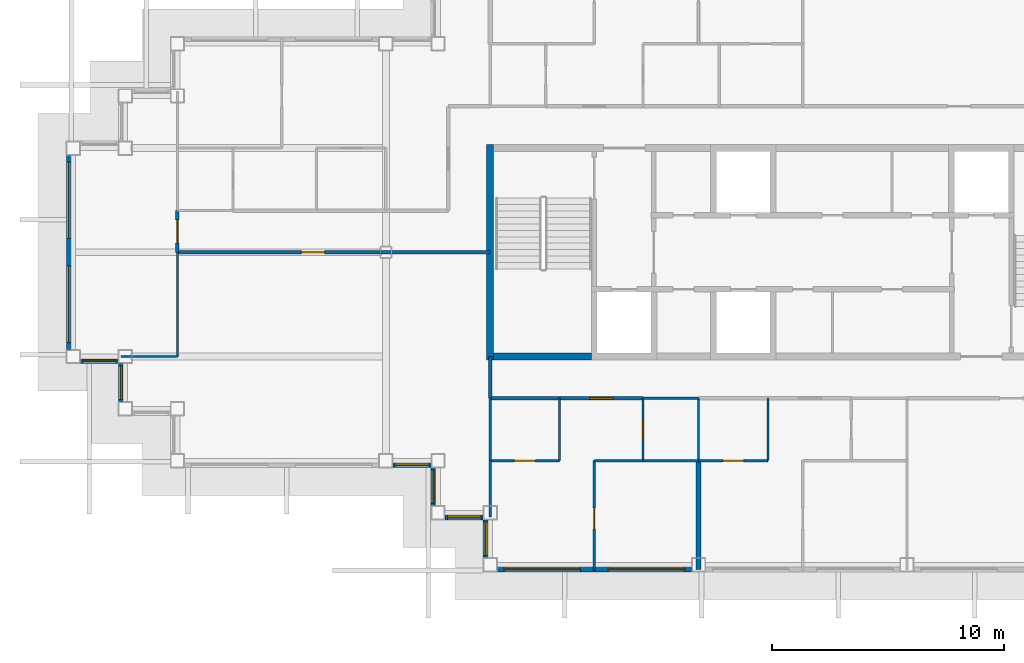
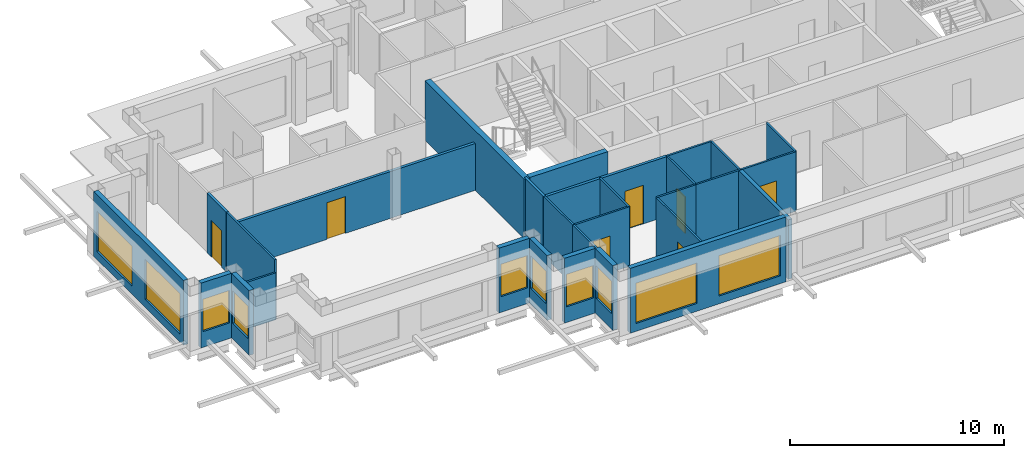
# One storey, part 2 of 11: 29 walls, 10 windows, 7 doors, 17 openings.
"""IFC4 building model written with IfcOpenShell, lengths in metres."""

from ifc_helpers import new_model, si_unit, direction, frame, frame_2d, origin, place, context, subcontext, project, spatial, rectangle, extrude, material, layer, layer_set, type_object, element, fill, save


model = new_model("IFC4")

# Units and contexts
model_context = context("Model", 3, precision=1e-05, world=origin(), true_north=direction((0.0, 1.0)))
body_context = subcontext(model_context, "Body", "Model", "MODEL_VIEW")
ifc_project = project(units=[si_unit("LENGTHUNIT", "METRE"), si_unit("AREAUNIT", "SQUARE_METRE"), si_unit("VOLUMEUNIT", "CUBIC_METRE"), si_unit("PLANEANGLEUNIT", "RADIAN"), si_unit("MASSUNIT", "GRAM", prefix="KILO")], contexts=[model_context])

# Site, building, storey
site_placement = place(None, origin())
site = spatial("IfcSite", under=ifc_project, at=site_placement, CompositionType="ELEMENT")
building_placement = place(site_placement, origin())
building = spatial("IfcBuilding", under=site, at=building_placement, Name="Caravel Reach Hotel and Residences", CompositionType="ELEMENT")
storey_placement = place(building_placement, frame((0.0, 0.0, 249.0)))
storey = spatial("IfcBuildingStorey", under=building, at=storey_placement, Name="L63", CompositionType="ELEMENT", Elevation=249.0)

# Walls
ifc_material_1 = material(Name="Gypsum board on steel stud", Category="steel")
ifc_layer_1 = layer(ifc_material_1, 0.10009765625)
ifc_layer_set_1 = layer_set([ifc_layer_1], Name="Bathroom pod wall 100 mm")
wall_type_1 = type_object("IfcWallType", Name="Bathroom pod wall 100 mm", PredefinedType="PARTITIONING", material=ifc_layer_set_1)
for number, where, z_axis, x_axis, name in (
    (1, (24.60009765625, 18.0, 0.0), (0.0, 0.0, 1.0), (1.0, 0.0, 0.0), "L63 wall w053"),
    (2, (24.60009765625, 20.699951171875, 0.0), (0.0, 0.0, 1.0), (1.0, 0.0, 0.0), "L63 wall w055"),
):
    element("IfcWall", number, at=place(storey_placement, frame(where, z_axis=z_axis, x_axis=x_axis)), inside=storey, type_object=wall_type_1, Name=name, PredefinedType="PARTITIONING", context=body_context, shape_type="SweptSolid", body=[
        extrude(rectangle(XDim=2.39990234375, YDim=0.10009765625, at=frame_2d((1.199951171875, 0.0))), origin(), (0.0, 0.0, 1.0), 3.39990234375),
    ])

# Wall, opening, door
wall_1_placement = place(storey_placement, frame((24.60009765625, 18.0, 0.0), z_axis=(0.0, 0.0, 1.0), x_axis=(0.0, 1.0, 0.0)))
wall_1 = element("IfcWall", 3, at=wall_1_placement, inside=storey, type_object=wall_type_1, Name="L63 wall w063", PredefinedType="PARTITIONING", context=body_context, shape_type="SweptSolid", body=[
    extrude(rectangle(XDim=2.699951171875, YDim=0.10009765625, at=frame_2d((1.35009765625, 0.0))), origin(), (0.0, 0.0, 1.0), 3.39990234375),
])
opening_1_placement = place(wall_1_placement, frame((0.949951171875, 0.0, 0.0)))
opening_1 = element("IfcOpeningElement", 4, at=opening_1_placement, cuts=wall_1, Name="Opening D63-031", PredefinedType="OPENING", context=body_context, shape_type="SweptSolid", body=[
    extrude(rectangle(XDim=0.800048828125, YDim=2.10009765625, at=frame_2d((0.39990234375, 1.050048828125))), frame((0.0, 0.06005859375, 0.0), z_axis=(0.0, -1.0, 0.0), x_axis=(1.0, 0.0, 0.0)), (0.0, 0.0, 1.0), 0.1201171875),
])
ifc_material_2 = material(Name="Timber and steel door leaf", Category="steel")
door_type_1 = type_object("IfcDoorType", Name="Bathroom door 800 x 2100", OperationType="SINGLE_SWING_LEFT", PredefinedType="DOOR", material=ifc_material_2)
door_1_placement = place(opening_1_placement, origin())
door_1 = element("IfcDoor", 5, at=door_1_placement, inside=storey, type_object=door_type_1, Name="door D63-031", OperationType="SINGLE_SWING_RIGHT", OverallHeight=2.10009765625, OverallWidth=0.800048828125, PredefinedType="DOOR", context=body_context, shape_type="SweptSolid", body=[
    extrude(rectangle(XDim=0.800048828125, YDim=2.10009765625, at=frame_2d((0.39990234375, 1.050048828125))), frame((0.0, 0.02490234375, 0.0), z_axis=(0.0, -1.0, 0.0), x_axis=(1.0, 0.0, 0.0)), (0.0, 0.0, 1.0), 0.050048828125),
])
fill(opening_1, door_1)

# Walls
wall_2_placement = place(storey_placement, frame((27.0, 18.0, 0.0), z_axis=(0.0, 0.0, 1.0), x_axis=(0.0, 1.0, 0.0)))
element("IfcWall", 6, at=wall_2_placement, inside=storey, type_object=wall_type_1, Name="L63 wall w064", PredefinedType="PARTITIONING", context=body_context, shape_type="SweptSolid", body=[
    extrude(rectangle(XDim=2.699951171875, YDim=0.10009765625, at=frame_2d((1.35009765625, 0.0))), origin(), (0.0, 0.0, 1.0), 3.39990234375),
])
ifc_material_3 = material(Name="Concrete C60", Category="concrete")
ifc_layer_2 = layer(ifc_material_3, 0.300048828125)
ifc_layer_set_2 = layer_set([ifc_layer_2], Name="Core wall 300 mm EI 120")
wall_type_2 = type_object("IfcWallType", Name="Core wall 300 mm EI 120", PredefinedType="SHEAR", material=ifc_layer_set_2)
wall_3_placement = place(storey_placement, frame((18.14990234375, 22.5, 0.0), z_axis=(0.0, 0.0, 1.0), x_axis=(1.0, 0.0, 0.0)))
element("IfcWall", 7, at=wall_3_placement, inside=storey, type_object=wall_type_2, Name="L63 core wall S1", PredefinedType="SHEAR", context=body_context, shape_type="SweptSolid", body=[
    extrude(rectangle(XDim=4.22509765625, YDim=0.300048828125, at=frame_2d((2.112548828125, 0.0))), origin(), (0.0, 0.0, 1.0), 3.39990234375),
])
wall_4_placement = place(storey_placement, frame((18.0, 22.35009765625, 0.0), z_axis=(0.0, 0.0, 1.0), x_axis=(0.0, 1.0, 0.0)))
element("IfcWall", 8, at=wall_4_placement, inside=storey, type_object=wall_type_2, Name="L63 core wall W", PredefinedType="SHEAR", context=body_context, shape_type="SweptSolid", body=[
    extrude(rectangle(XDim=9.2998046875, YDim=0.300048828125, at=frame_2d((4.64990234375, 0.0))), origin(), (0.0, 0.0, 1.0), 3.39990234375),
])

# Wall, opening, door
ifc_material_4 = material(Name="Gypsum board on steel stud, fire-rated", Category="steel")
ifc_layer_3 = layer(ifc_material_4, 0.14990234375)
ifc_layer_set_3 = layer_set([ifc_layer_3], Name="Corridor wall 150 mm EI 60")
wall_type_3 = type_object("IfcWallType", Name="Corridor wall 150 mm EI 60", PredefinedType="PARTITIONING", material=ifc_layer_set_3)
wall_5_placement = place(storey_placement, frame((18.0, 20.699951171875, 0.0), z_axis=(0.0, 0.0, 1.0), x_axis=(1.0, 0.0, 0.0)))
wall_5 = element("IfcWall", 9, at=wall_5_placement, inside=storey, type_object=wall_type_3, Name="L63 wall w002", PredefinedType="PARTITIONING", context=body_context, shape_type="SweptSolid", body=[
    extrude(rectangle(XDim=6.60009765625, YDim=0.14990234375, at=frame_2d((3.300048828125, 0.0))), origin(), (0.0, 0.0, 1.0), 3.39990234375),
])
opening_2_placement = place(wall_5_placement, frame((4.300048828125, 0.0, 0.0)))
opening_2 = element("IfcOpeningElement", 10, at=opening_2_placement, cuts=wall_5, Name="Opening D63-029", PredefinedType="OPENING", context=body_context, shape_type="SweptSolid", body=[
    extrude(rectangle(XDim=1.0, YDim=2.199951171875, at=frame_2d((0.5, 1.10009765625))), frame((0.0, 0.0849609375, 0.0), z_axis=(0.0, -1.0, 0.0), x_axis=(1.0, 0.0, 0.0)), (0.0, 0.0, 1.0), 0.169921875),
])
ifc_material_5 = material(Name="Steel fire door leaf", Category="steel")
door_type_2 = type_object("IfcDoorType", Name="Flat entrance door 1000 x 2200 EI 60", OperationType="SINGLE_SWING_LEFT", PredefinedType="DOOR", material=ifc_material_5)
door_2_placement = place(opening_2_placement, origin())
door_2 = element("IfcDoor", 11, at=door_2_placement, inside=storey, type_object=door_type_2, Name="door D63-029", OperationType="SINGLE_SWING_LEFT", OverallHeight=2.199951171875, OverallWidth=1.0, PredefinedType="DOOR", context=body_context, shape_type="SweptSolid", body=[
    extrude(rectangle(XDim=1.0, YDim=2.199951171875, at=frame_2d((0.5, 1.10009765625))), frame((0.0, 0.02490234375, 0.0), z_axis=(0.0, -1.0, 0.0), x_axis=(1.0, 0.0, 0.0)), (0.0, 0.0, 1.0), 0.050048828125),
])
fill(opening_2, door_2)

wall_6_placement = place(storey_placement, frame((4.5, 27.0, 0.0), z_axis=(0.0, 0.0, 1.0), x_axis=(1.0, 0.0, 0.0)))
wall_6 = element("IfcWall", 12, at=wall_6_placement, inside=storey, type_object=wall_type_3, Name="L63 wall w008", PredefinedType="PARTITIONING", context=body_context, shape_type="SweptSolid", body=[
    extrude(rectangle(XDim=13.5, YDim=0.14990234375, at=frame_2d((6.75, 0.0))), origin(), (0.0, 0.0, 1.0), 2.679931640625),
])
opening_3_placement = place(wall_6_placement, frame((5.35009765625, 0.0, 0.0)))
opening_3 = element("IfcOpeningElement", 13, at=opening_3_placement, cuts=wall_6, Name="Opening D63-028", PredefinedType="OPENING", context=body_context, shape_type="SweptSolid", body=[
    extrude(rectangle(XDim=1.0, YDim=2.10009765625, at=frame_2d((0.5, 1.050048828125))), frame((0.0, 0.0849609375, 0.0), z_axis=(0.0, -1.0, 0.0), x_axis=(1.0, 0.0, 0.0)), (0.0, 0.0, 1.0), 0.169921875),
])
ifc_material_6 = material(Name="Steel fire door leaf", Category="steel")
door_type_3 = type_object("IfcDoorType", Name="Fire door 1000 x 2100 EI 60", OperationType="SINGLE_SWING_LEFT", PredefinedType="DOOR", material=ifc_material_6)
door_3_placement = place(opening_3_placement, origin())
door_3 = element("IfcDoor", 14, at=door_3_placement, inside=storey, type_object=door_type_3, Name="door D63-028", OperationType="SINGLE_SWING_LEFT", OverallHeight=2.10009765625, OverallWidth=1.0, PredefinedType="DOOR", context=body_context, shape_type="SweptSolid", body=[
    extrude(rectangle(XDim=1.0, YDim=2.10009765625, at=frame_2d((0.5, 1.050048828125))), frame((0.0, 0.02490234375, 0.0), z_axis=(0.0, -1.0, 0.0), x_axis=(1.0, 0.0, 0.0)), (0.0, 0.0, 1.0), 0.050048828125),
])
fill(opening_3, door_3)

# Wall
wall_7_placement = place(storey_placement, frame((18.0, 20.699951171875, 0.0), z_axis=(0.0, 0.0, 1.0), x_axis=(0.0, 1.0, 0.0)))
element("IfcWall", 15, at=wall_7_placement, inside=storey, type_object=wall_type_3, Name="L63 wall w018", PredefinedType="PARTITIONING", context=body_context, shape_type="SweptSolid", body=[
    extrude(rectangle(XDim=1.800048828125, YDim=0.14990234375, at=frame_2d((0.89990234375, 0.0))), origin(), (0.0, 0.0, 1.0), 3.39990234375),
])

# Wall, opening, door
wall_8_placement = place(storey_placement, frame((4.5, 27.0, 0.0), z_axis=(0.0, 0.0, 1.0), x_axis=(0.0, 1.0, 0.0)))
wall_8 = element("IfcWall", 16, at=wall_8_placement, inside=storey, type_object=wall_type_3, Name="L63 wall w019", PredefinedType="PARTITIONING", context=body_context, shape_type="SweptSolid", body=[
    extrude(rectangle(XDim=1.800048828125, YDim=0.14990234375, at=frame_2d((0.89990234375, 0.0))), origin(), (0.0, 0.0, 1.0), 3.39990234375),
])
opening_4_placement = place(wall_8_placement, frame((0.39990234375, 0.0, 0.0)))
opening_4 = element("IfcOpeningElement", 17, at=opening_4_placement, cuts=wall_8, Name="Opening D63-038", PredefinedType="OPENING", context=body_context, shape_type="SweptSolid", body=[
    extrude(rectangle(XDim=1.0, YDim=2.10009765625, at=frame_2d((0.5, 1.050048828125))), frame((0.0, 0.0849609375, 0.0), z_axis=(0.0, -1.0, 0.0), x_axis=(1.0, 0.0, 0.0)), (0.0, 0.0, 1.0), 0.169921875),
])
door_4_placement = place(opening_4_placement, origin())
door_4 = element("IfcDoor", 18, at=door_4_placement, inside=storey, type_object=door_type_3, Name="door D63-038", OperationType="SINGLE_SWING_LEFT", OverallHeight=2.10009765625, OverallWidth=1.0, PredefinedType="DOOR", context=body_context, shape_type="SweptSolid", body=[
    extrude(rectangle(XDim=1.0, YDim=2.10009765625, at=frame_2d((0.5, 1.050048828125))), frame((0.0, 0.02490234375, 0.0), z_axis=(0.0, -1.0, 0.0), x_axis=(1.0, 0.0, 0.0)), (0.0, 0.0, 1.0), 0.050048828125),
])
fill(opening_4, door_4)

# Wall, opening, window
ifc_material_7 = material(Name="Insulated rainscreen wall, aluminium cladding", Category="aluminium")
ifc_layer_4 = layer(ifc_material_7, 0.25)
ifc_layer_set_4 = layer_set([ifc_layer_4], Name="EW1 Tower rainscreen wall")
wall_type_4 = type_object("IfcWallType", Name="EW1 Tower rainscreen wall", PredefinedType="SOLIDWALL", material=ifc_layer_set_4)
wall_9_placement = place(storey_placement, frame((15.574951171875, 17.699951171875, 0.0), z_axis=(0.0, 0.0, 1.0), x_axis=(0.0, -1.0, 0.0)))
wall_9 = element("IfcWall", 19, at=wall_9_placement, inside=storey, type_object=wall_type_4, Name="External wall L63 W1.1", PredefinedType="SOLIDWALL", context=body_context, shape_type="SweptSolid", body=[
    extrude(rectangle(XDim=1.64990234375, YDim=0.25, at=frame_2d((0.824951171875, 0.0))), origin(), (0.0, 0.0, 1.0), 3.699951171875),
])
opening_5_placement = place(wall_9_placement, frame((0.10009765625, 0.0, 0.89990234375)))
opening_5 = element("IfcOpeningElement", 20, at=opening_5_placement, cuts=wall_9, Name="Opening WN25", PredefinedType="OPENING", context=body_context, shape_type="SweptSolid", body=[
    extrude(rectangle(XDim=1.449951171875, YDim=1.85009765625, at=frame_2d((0.72509765625, 0.925048828125))), frame((0.0, 0.135009765625, 0.0), z_axis=(0.0, -1.0, 0.0), x_axis=(1.0, 0.0, 0.0)), (0.0, 0.0, 1.0), 0.27001953125),
])
ifc_material_8 = material(Name="Dark low-e glazing in black aluminium frame", Category="aluminium")
window_type_1 = type_object("IfcWindowType", Name="Residence bedroom window 1450 x 1850", PartitioningType="SINGLE_PANEL", PredefinedType="WINDOW", material=ifc_material_8)
window_1_placement = place(opening_5_placement, origin())
window_1 = element("IfcWindow", 21, at=window_1_placement, inside=storey, type_object=window_type_1, Name="Window L63 W1.1.1", OverallHeight=1.85009765625, OverallWidth=1.449951171875, PartitioningType="SINGLE_PANEL", PredefinedType="WINDOW", context=body_context, shape_type="SweptSolid", body=[
    extrude(rectangle(XDim=1.449951171875, YDim=1.85009765625, at=frame_2d((0.72509765625, 0.925048828125))), frame((0.0, 0.030029296875, 0.0), z_axis=(0.0, -1.0, 0.0), x_axis=(1.0, 0.0, 0.0)), (0.0, 0.0, 1.0), 0.06005859375),
])
fill(opening_5, window_1)

wall_10_placement = place(storey_placement, frame((16.050048828125, 15.574951171875, 0.0), z_axis=(0.0, 0.0, 1.0), x_axis=(1.0, 0.0, 0.0)))
wall_10 = element("IfcWall", 22, at=wall_10_placement, inside=storey, type_object=wall_type_4, Name="External wall L63 S2.1", PredefinedType="SOLIDWALL", context=body_context, shape_type="SweptSolid", body=[
    extrude(rectangle(XDim=1.64990234375, YDim=0.25, at=frame_2d((0.824951171875, 0.0))), origin(), (0.0, 0.0, 1.0), 3.699951171875),
])
opening_6_placement = place(wall_10_placement, frame((0.10009765625, 0.0, 0.89990234375)))
opening_6 = element("IfcOpeningElement", 23, at=opening_6_placement, cuts=wall_10, Name="Opening WN25", PredefinedType="OPENING", context=body_context, shape_type="SweptSolid", body=[
    extrude(rectangle(XDim=1.449951171875, YDim=1.85009765625, at=frame_2d((0.72509765625, 0.925048828125))), frame((0.0, 0.135009765625, 0.0), z_axis=(0.0, -1.0, 0.0), x_axis=(1.0, 0.0, 0.0)), (0.0, 0.0, 1.0), 0.27001953125),
])
window_2_placement = place(opening_6_placement, origin())
window_2 = element("IfcWindow", 24, at=window_2_placement, inside=storey, type_object=window_type_1, Name="Window L63 S2.1.1", OverallHeight=1.85009765625, OverallWidth=1.449951171875, PartitioningType="SINGLE_PANEL", PredefinedType="WINDOW", context=body_context, shape_type="SweptSolid", body=[
    extrude(rectangle(XDim=1.449951171875, YDim=1.85009765625, at=frame_2d((0.72509765625, 0.925048828125))), frame((0.0, 0.030029296875, 0.0), z_axis=(0.0, -1.0, 0.0), x_axis=(1.0, 0.0, 0.0)), (0.0, 0.0, 1.0), 0.06005859375),
])
fill(opening_6, window_2)

wall_11_placement = place(storey_placement, frame((17.824951171875, 15.449951171875, 0.0), z_axis=(0.0, 0.0, 1.0), x_axis=(0.0, -1.0, 0.0)))
wall_11 = element("IfcWall", 25, at=wall_11_placement, inside=storey, type_object=wall_type_4, Name="External wall L63 W3.1", PredefinedType="SOLIDWALL", context=body_context, shape_type="SweptSolid", body=[
    extrude(rectangle(XDim=1.64990234375, YDim=0.25, at=frame_2d((0.824951171875, 0.0))), origin(), (0.0, 0.0, 1.0), 3.699951171875),
])
opening_7_placement = place(wall_11_placement, frame((0.10009765625, 0.0, 0.89990234375)))
opening_7 = element("IfcOpeningElement", 26, at=opening_7_placement, cuts=wall_11, Name="Opening WN25", PredefinedType="OPENING", context=body_context, shape_type="SweptSolid", body=[
    extrude(rectangle(XDim=1.449951171875, YDim=1.85009765625, at=frame_2d((0.72509765625, 0.925048828125))), frame((0.0, 0.135009765625, 0.0), z_axis=(0.0, -1.0, 0.0), x_axis=(1.0, 0.0, 0.0)), (0.0, 0.0, 1.0), 0.27001953125),
])
window_3_placement = place(opening_7_placement, origin())
window_3 = element("IfcWindow", 27, at=window_3_placement, inside=storey, type_object=window_type_1, Name="Window L63 W3.1.1", OverallHeight=1.85009765625, OverallWidth=1.449951171875, PartitioningType="SINGLE_PANEL", PredefinedType="WINDOW", context=body_context, shape_type="SweptSolid", body=[
    extrude(rectangle(XDim=1.449951171875, YDim=1.85009765625, at=frame_2d((0.72509765625, 0.925048828125))), frame((0.0, 0.030029296875, 0.0), z_axis=(0.0, -1.0, 0.0), x_axis=(1.0, 0.0, 0.0)), (0.0, 0.0, 1.0), 0.06005859375),
])
fill(opening_7, window_3)

# Wall, openings, windows
wall_12_placement = place(storey_placement, frame((18.300048828125, 13.324951171875, 0.0), z_axis=(0.0, 0.0, 1.0), x_axis=(1.0, 0.0, 0.0)))
wall_12 = element("IfcWall", 28, at=wall_12_placement, inside=storey, type_object=wall_type_4, Name="External wall L63 S4.1", PredefinedType="SOLIDWALL", context=body_context, shape_type="SweptSolid", body=[
    extrude(rectangle(XDim=8.39990234375, YDim=0.25, at=frame_2d((4.199951171875, 0.0))), origin(), (0.0, 0.0, 1.0), 3.699951171875),
])
opening_8_placement = place(wall_12_placement, frame((0.300048828125, 0.0, 0.449951171875)))
opening_8 = element("IfcOpeningElement", 29, at=opening_8_placement, cuts=wall_12, Name="Opening WN15", PredefinedType="OPENING", context=body_context, shape_type="SweptSolid", body=[
    extrude(rectangle(XDim=3.300048828125, YDim=2.300048828125, at=frame_2d((1.64990234375, 1.14990234375))), frame((0.0, 0.135009765625, 0.0), z_axis=(0.0, -1.0, 0.0), x_axis=(1.0, 0.0, 0.0)), (0.0, 0.0, 1.0), 0.27001953125),
])
opening_9_placement = place(wall_12_placement, frame((4.800048828125, 0.0, 0.449951171875)))
opening_9 = element("IfcOpeningElement", 30, at=opening_9_placement, cuts=wall_12, Name="Opening WN15", PredefinedType="OPENING", context=body_context, shape_type="SweptSolid", body=[
    extrude(rectangle(XDim=3.300048828125, YDim=2.300048828125, at=frame_2d((1.64990234375, 1.14990234375))), frame((0.0, 0.135009765625, 0.0), z_axis=(0.0, -1.0, 0.0), x_axis=(1.0, 0.0, 0.0)), (0.0, 0.0, 1.0), 0.27001953125),
])
ifc_material_9 = material(Name="Dark low-e glazing in black aluminium frame", Category="aluminium")
window_type_2 = type_object("IfcWindowType", Name="Residence living window 3300 x 2300", PartitioningType="SINGLE_PANEL", PredefinedType="WINDOW", material=ifc_material_9)
window_4_placement = place(opening_8_placement, origin())
window_4 = element("IfcWindow", 31, at=window_4_placement, inside=storey, type_object=window_type_2, Name="Window L63 S4.1.1", OverallHeight=2.300048828125, OverallWidth=3.300048828125, PartitioningType="SINGLE_PANEL", PredefinedType="WINDOW", context=body_context, shape_type="SweptSolid", body=[
    extrude(rectangle(XDim=3.300048828125, YDim=2.300048828125, at=frame_2d((1.64990234375, 1.14990234375))), frame((0.0, 0.030029296875, 0.0), z_axis=(0.0, -1.0, 0.0), x_axis=(1.0, 0.0, 0.0)), (0.0, 0.0, 1.0), 0.06005859375),
])
fill(opening_8, window_4)
window_5_placement = place(opening_9_placement, origin())
window_5 = element("IfcWindow", 32, at=window_5_placement, inside=storey, type_object=window_type_2, Name="Window L63 S4.1.2", OverallHeight=2.300048828125, OverallWidth=3.300048828125, PartitioningType="SINGLE_PANEL", PredefinedType="WINDOW", context=body_context, shape_type="SweptSolid", body=[
    extrude(rectangle(XDim=3.300048828125, YDim=2.300048828125, at=frame_2d((1.64990234375, 1.14990234375))), frame((0.0, 0.030029296875, 0.0), z_axis=(0.0, -1.0, 0.0), x_axis=(1.0, 0.0, 0.0)), (0.0, 0.0, 1.0), 0.06005859375),
])
fill(opening_9, window_5)

wall_13_placement = place(storey_placement, frame((-0.175048828125, 31.199951171875, 0.0), z_axis=(0.0, 0.0, 1.0), x_axis=(0.0, -1.0, 0.0)))
wall_13 = element("IfcWall", 33, at=wall_13_placement, inside=storey, type_object=wall_type_4, Name="External wall L63 W23.1", PredefinedType="SOLIDWALL", context=body_context, shape_type="SweptSolid", body=[
    extrude(rectangle(XDim=8.39990234375, YDim=0.25, at=frame_2d((4.199951171875, 0.0))), origin(), (0.0, 0.0, 1.0), 3.699951171875),
])
opening_10_placement = place(wall_13_placement, frame((0.300048828125, 0.0, 0.449951171875)))
opening_10 = element("IfcOpeningElement", 34, at=opening_10_placement, cuts=wall_13, Name="Opening WN15", PredefinedType="OPENING", context=body_context, shape_type="SweptSolid", body=[
    extrude(rectangle(XDim=3.300048828125, YDim=2.300048828125, at=frame_2d((1.64990234375, 1.14990234375))), frame((0.0, 0.135009765625, 0.0), z_axis=(0.0, -1.0, 0.0), x_axis=(1.0, 0.0, 0.0)), (0.0, 0.0, 1.0), 0.27001953125),
])
opening_11_placement = place(wall_13_placement, frame((4.800048828125, 0.0, 0.449951171875)))
opening_11 = element("IfcOpeningElement", 35, at=opening_11_placement, cuts=wall_13, Name="Opening WN15", PredefinedType="OPENING", context=body_context, shape_type="SweptSolid", body=[
    extrude(rectangle(XDim=3.300048828125, YDim=2.300048828125, at=frame_2d((1.64990234375, 1.14990234375))), frame((0.0, 0.135009765625, 0.0), z_axis=(0.0, -1.0, 0.0), x_axis=(1.0, 0.0, 0.0)), (0.0, 0.0, 1.0), 0.27001953125),
])
window_6_placement = place(opening_10_placement, origin())
window_6 = element("IfcWindow", 36, at=window_6_placement, inside=storey, type_object=window_type_2, Name="Window L63 W23.1.1", OverallHeight=2.300048828125, OverallWidth=3.300048828125, PartitioningType="SINGLE_PANEL", PredefinedType="WINDOW", context=body_context, shape_type="SweptSolid", body=[
    extrude(rectangle(XDim=3.300048828125, YDim=2.300048828125, at=frame_2d((1.64990234375, 1.14990234375))), frame((0.0, 0.030029296875, 0.0), z_axis=(0.0, -1.0, 0.0), x_axis=(1.0, 0.0, 0.0)), (0.0, 0.0, 1.0), 0.06005859375),
])
fill(opening_10, window_6)
window_7_placement = place(opening_11_placement, origin())
window_7 = element("IfcWindow", 37, at=window_7_placement, inside=storey, type_object=window_type_2, Name="Window L63 W23.1.2", OverallHeight=2.300048828125, OverallWidth=3.300048828125, PartitioningType="SINGLE_PANEL", PredefinedType="WINDOW", context=body_context, shape_type="SweptSolid", body=[
    extrude(rectangle(XDim=3.300048828125, YDim=2.300048828125, at=frame_2d((1.64990234375, 1.14990234375))), frame((0.0, 0.030029296875, 0.0), z_axis=(0.0, -1.0, 0.0), x_axis=(1.0, 0.0, 0.0)), (0.0, 0.0, 1.0), 0.06005859375),
])
fill(opening_11, window_7)

# Wall, opening, window
wall_14_placement = place(storey_placement, frame((0.300048828125, 22.324951171875, 0.0), z_axis=(0.0, 0.0, 1.0), x_axis=(1.0, 0.0, 0.0)))
wall_14 = element("IfcWall", 38, at=wall_14_placement, inside=storey, type_object=wall_type_4, Name="External wall L63 S24.1", PredefinedType="SOLIDWALL", context=body_context, shape_type="SweptSolid", body=[
    extrude(rectangle(XDim=1.64990234375, YDim=0.25, at=frame_2d((0.824951171875, 0.0))), origin(), (0.0, 0.0, 1.0), 3.699951171875),
])
opening_12_placement = place(wall_14_placement, frame((0.10009765625, 0.0, 0.89990234375)))
opening_12 = element("IfcOpeningElement", 39, at=opening_12_placement, cuts=wall_14, Name="Opening WN25", PredefinedType="OPENING", context=body_context, shape_type="SweptSolid", body=[
    extrude(rectangle(XDim=1.449951171875, YDim=1.85009765625, at=frame_2d((0.72509765625, 0.925048828125))), frame((0.0, 0.135009765625, 0.0), z_axis=(0.0, -1.0, 0.0), x_axis=(1.0, 0.0, 0.0)), (0.0, 0.0, 1.0), 0.27001953125),
])
window_8_placement = place(opening_12_placement, origin())
window_8 = element("IfcWindow", 40, at=window_8_placement, inside=storey, type_object=window_type_1, Name="Window L63 S24.1.1", OverallHeight=1.85009765625, OverallWidth=1.449951171875, PartitioningType="SINGLE_PANEL", PredefinedType="WINDOW", context=body_context, shape_type="SweptSolid", body=[
    extrude(rectangle(XDim=1.449951171875, YDim=1.85009765625, at=frame_2d((0.72509765625, 0.925048828125))), frame((0.0, 0.030029296875, 0.0), z_axis=(0.0, -1.0, 0.0), x_axis=(1.0, 0.0, 0.0)), (0.0, 0.0, 1.0), 0.06005859375),
])
fill(opening_12, window_8)

wall_15_placement = place(storey_placement, frame((2.074951171875, 22.199951171875, 0.0), z_axis=(0.0, 0.0, 1.0), x_axis=(0.0, -1.0, 0.0)))
wall_15 = element("IfcWall", 41, at=wall_15_placement, inside=storey, type_object=wall_type_4, Name="External wall L63 W25.1", PredefinedType="SOLIDWALL", context=body_context, shape_type="SweptSolid", body=[
    extrude(rectangle(XDim=1.64990234375, YDim=0.25, at=frame_2d((0.824951171875, 0.0))), origin(), (0.0, 0.0, 1.0), 3.699951171875),
])
opening_13_placement = place(wall_15_placement, frame((0.10009765625, 0.0, 0.89990234375)))
opening_13 = element("IfcOpeningElement", 42, at=opening_13_placement, cuts=wall_15, Name="Opening WN25", PredefinedType="OPENING", context=body_context, shape_type="SweptSolid", body=[
    extrude(rectangle(XDim=1.449951171875, YDim=1.85009765625, at=frame_2d((0.72509765625, 0.925048828125))), frame((0.0, 0.135009765625, 0.0), z_axis=(0.0, -1.0, 0.0), x_axis=(1.0, 0.0, 0.0)), (0.0, 0.0, 1.0), 0.27001953125),
])
window_9_placement = place(opening_13_placement, origin())
window_9 = element("IfcWindow", 43, at=window_9_placement, inside=storey, type_object=window_type_1, Name="Window L63 W25.1.1", OverallHeight=1.85009765625, OverallWidth=1.449951171875, PartitioningType="SINGLE_PANEL", PredefinedType="WINDOW", context=body_context, shape_type="SweptSolid", body=[
    extrude(rectangle(XDim=1.449951171875, YDim=1.85009765625, at=frame_2d((0.72509765625, 0.925048828125))), frame((0.0, 0.030029296875, 0.0), z_axis=(0.0, -1.0, 0.0), x_axis=(1.0, 0.0, 0.0)), (0.0, 0.0, 1.0), 0.06005859375),
])
fill(opening_13, window_9)

wall_16_placement = place(storey_placement, frame((13.800048828125, 17.824951171875, 0.0), z_axis=(0.0, 0.0, 1.0), x_axis=(1.0, 0.0, 0.0)))
wall_16 = element("IfcWall", 44, at=wall_16_placement, inside=storey, type_object=wall_type_4, Name="External wall L63 S28.2", PredefinedType="SOLIDWALL", context=body_context, shape_type="SweptSolid", body=[
    extrude(rectangle(XDim=1.64990234375, YDim=0.25, at=frame_2d((0.824951171875, 0.0))), origin(), (0.0, 0.0, 1.0), 3.699951171875),
])
opening_14_placement = place(wall_16_placement, frame((0.10009765625, 0.0, 0.89990234375)))
opening_14 = element("IfcOpeningElement", 45, at=opening_14_placement, cuts=wall_16, Name="Opening WN25", PredefinedType="OPENING", context=body_context, shape_type="SweptSolid", body=[
    extrude(rectangle(XDim=1.449951171875, YDim=1.85009765625, at=frame_2d((0.72509765625, 0.925048828125))), frame((0.0, 0.135009765625, 0.0), z_axis=(0.0, -1.0, 0.0), x_axis=(1.0, 0.0, 0.0)), (0.0, 0.0, 1.0), 0.27001953125),
])
window_10_placement = place(opening_14_placement, origin())
window_10 = element("IfcWindow", 46, at=window_10_placement, inside=storey, type_object=window_type_1, Name="Window L63 S28.2.1", OverallHeight=1.85009765625, OverallWidth=1.449951171875, PartitioningType="SINGLE_PANEL", PredefinedType="WINDOW", context=body_context, shape_type="SweptSolid", body=[
    extrude(rectangle(XDim=1.449951171875, YDim=1.85009765625, at=frame_2d((0.72509765625, 0.925048828125))), frame((0.0, 0.030029296875, 0.0), z_axis=(0.0, -1.0, 0.0), x_axis=(1.0, 0.0, 0.0)), (0.0, 0.0, 1.0), 0.06005859375),
])
fill(opening_14, window_10)

# Wall
ifc_material_10 = material(Name="Gypsum board on steel stud", Category="steel")
ifc_layer_5 = layer(ifc_material_10, 0.10009765625)
ifc_layer_set_5 = layer_set([ifc_layer_5], Name="Partition 100 mm")
wall_type_5 = type_object("IfcWallType", Name="Partition 100 mm", PredefinedType="PARTITIONING", material=ifc_layer_set_5)
wall_17_placement = place(storey_placement, frame((22.5, 18.0, 0.0), z_axis=(0.0, 0.0, 1.0), x_axis=(1.0, 0.0, 0.0)))
element("IfcWall", 47, at=wall_17_placement, inside=storey, type_object=wall_type_5, Name="L63 wall w021", PredefinedType="PARTITIONING", context=body_context, shape_type="SweptSolid", body=[
    extrude(rectangle(XDim=2.10009765625, YDim=0.10009765625, at=frame_2d((1.050048828125, 0.0))), origin(), (0.0, 0.0, 1.0), 3.39990234375),
])

# Wall, opening, door
wall_18_placement = place(storey_placement, frame((18.0, 18.0, 0.0), z_axis=(0.0, 0.0, 1.0), x_axis=(1.0, 0.0, 0.0)))
wall_18 = element("IfcWall", 48, at=wall_18_placement, inside=storey, type_object=wall_type_5, Name="L63 wall w022", PredefinedType="PARTITIONING", context=body_context, shape_type="SweptSolid", body=[
    extrude(rectangle(XDim=3.0, YDim=0.10009765625, at=frame_2d((1.5, 0.0))), origin(), (0.0, 0.0, 1.0), 3.39990234375),
])
opening_15_placement = place(wall_18_placement, frame((1.050048828125, 0.0, 0.0)))
opening_15 = element("IfcOpeningElement", 49, at=opening_15_placement, cuts=wall_18, Name="Opening D63-030", PredefinedType="OPENING", context=body_context, shape_type="SweptSolid", body=[
    extrude(rectangle(XDim=0.89990234375, YDim=2.10009765625, at=frame_2d((0.449951171875, 1.050048828125))), frame((0.0, 0.06005859375, 0.0), z_axis=(0.0, -1.0, 0.0), x_axis=(1.0, 0.0, 0.0)), (0.0, 0.0, 1.0), 0.1201171875),
])
ifc_material_11 = material(Name="Timber and steel door leaf", Category="steel")
door_type_4 = type_object("IfcDoorType", Name="Door 900 x 2100 timber", OperationType="SINGLE_SWING_LEFT", PredefinedType="DOOR", material=ifc_material_11)
door_5_placement = place(opening_15_placement, origin())
door_5 = element("IfcDoor", 50, at=door_5_placement, inside=storey, type_object=door_type_4, Name="door D63-030", OperationType="SINGLE_SWING_RIGHT", OverallHeight=2.10009765625, OverallWidth=0.89990234375, PredefinedType="DOOR", context=body_context, shape_type="SweptSolid", body=[
    extrude(rectangle(XDim=0.89990234375, YDim=2.10009765625, at=frame_2d((0.449951171875, 1.050048828125))), frame((0.0, 0.02490234375, 0.0), z_axis=(0.0, -1.0, 0.0), x_axis=(1.0, 0.0, 0.0)), (0.0, 0.0, 1.0), 0.050048828125),
])
fill(opening_15, door_5)

wall_19_placement = place(storey_placement, frame((27.0, 18.0, 0.0), z_axis=(0.0, 0.0, 1.0), x_axis=(1.0, 0.0, 0.0)))
wall_19 = element("IfcWall", 51, at=wall_19_placement, inside=storey, type_object=wall_type_5, Name="L63 wall w024", PredefinedType="PARTITIONING", context=body_context, shape_type="SweptSolid", body=[
    extrude(rectangle(XDim=3.0, YDim=0.10009765625, at=frame_2d((1.5, 0.0))), origin(), (0.0, 0.0, 1.0), 3.39990234375),
])
opening_16_placement = place(wall_19_placement, frame((1.050048828125, 0.0, 0.0)))
opening_16 = element("IfcOpeningElement", 52, at=opening_16_placement, cuts=wall_19, Name="Opening D63-034", PredefinedType="OPENING", context=body_context, shape_type="SweptSolid", body=[
    extrude(rectangle(XDim=0.89990234375, YDim=2.10009765625, at=frame_2d((0.449951171875, 1.050048828125))), frame((0.0, 0.06005859375, 0.0), z_axis=(0.0, -1.0, 0.0), x_axis=(1.0, 0.0, 0.0)), (0.0, 0.0, 1.0), 0.1201171875),
])
door_6_placement = place(opening_16_placement, origin())
door_6 = element("IfcDoor", 53, at=door_6_placement, inside=storey, type_object=door_type_4, Name="door D63-034", OperationType="SINGLE_SWING_LEFT", OverallHeight=2.10009765625, OverallWidth=0.89990234375, PredefinedType="DOOR", context=body_context, shape_type="SweptSolid", body=[
    extrude(rectangle(XDim=0.89990234375, YDim=2.10009765625, at=frame_2d((0.449951171875, 1.050048828125))), frame((0.0, 0.02490234375, 0.0), z_axis=(0.0, -1.0, 0.0), x_axis=(1.0, 0.0, 0.0)), (0.0, 0.0, 1.0), 0.050048828125),
])
fill(opening_16, door_6)

# Walls
wall_20_placement = place(storey_placement, frame((2.06005859375, 22.5, 0.0), z_axis=(0.0, 0.0, 1.0), x_axis=(1.0, 0.0, 0.0)))
element("IfcWall", 54, at=wall_20_placement, inside=storey, type_object=wall_type_5, Name="L63 wall w025", PredefinedType="PARTITIONING", context=body_context, shape_type="SweptSolid", body=[
    extrude(rectangle(XDim=2.43896484375, YDim=0.10009765625, at=frame_2d((1.219482421875, 0.0))), origin(), (0.0, 0.0, 1.0), 2.679931640625),
])
wall_21_placement = place(storey_placement, frame((18.0, 15.56005859375, 0.0), z_axis=(0.0, 0.0, 1.0), x_axis=(0.0, 1.0, 0.0)))
element("IfcWall", 55, at=wall_21_placement, inside=storey, type_object=wall_type_5, Name="L63 wall w034", PredefinedType="PARTITIONING", context=body_context, shape_type="SweptSolid", body=[
    extrude(rectangle(XDim=2.43896484375, YDim=0.10009765625, at=frame_2d((1.219482421875, 0.0))), origin(), (0.0, 0.0, 1.0), 3.39990234375),
])
for number, where, z_axis, x_axis, name in (
    (56, (18.0, 18.0, 0.0), (0.0, 0.0, 1.0), (0.0, 1.0, 0.0), "L63 wall w035"),
    (57, (21.0, 18.0, 0.0), (0.0, 0.0, 1.0), (0.0, 1.0, 0.0), "L63 wall w036"),
):
    element("IfcWall", number, at=place(storey_placement, frame(where, z_axis=z_axis, x_axis=x_axis)), inside=storey, type_object=wall_type_5, Name=name, PredefinedType="PARTITIONING", context=body_context, shape_type="SweptSolid", body=[
        extrude(rectangle(XDim=2.699951171875, YDim=0.10009765625, at=frame_2d((1.35009765625, 0.0))), origin(), (0.0, 0.0, 1.0), 3.39990234375),
    ])

# Wall, opening, door
wall_22_placement = place(storey_placement, frame((22.5, 13.260009765625, 0.0), z_axis=(0.0, 0.0, 1.0), x_axis=(0.0, 1.0, 0.0)))
wall_22 = element("IfcWall", 58, at=wall_22_placement, inside=storey, type_object=wall_type_5, Name="L63 wall w038", PredefinedType="PARTITIONING", context=body_context, shape_type="SweptSolid", body=[
    extrude(rectangle(XDim=4.739990234375, YDim=0.10009765625, at=frame_2d((2.3701171875, 0.0))), origin(), (0.0, 0.0, 1.0), 3.39990234375),
])
opening_17_placement = place(wall_22_placement, frame((1.800048828125, 0.0, 0.0)))
opening_17 = element("IfcOpeningElement", 59, at=opening_17_placement, cuts=wall_22, Name="Opening D63-032", PredefinedType="OPENING", context=body_context, shape_type="SweptSolid", body=[
    extrude(rectangle(XDim=0.89990234375, YDim=2.10009765625, at=frame_2d((0.449951171875, 1.050048828125))), frame((0.0, 0.06005859375, 0.0), z_axis=(0.0, -1.0, 0.0), x_axis=(1.0, 0.0, 0.0)), (0.0, 0.0, 1.0), 0.1201171875),
])
door_7_placement = place(opening_17_placement, origin())
door_7 = element("IfcDoor", 60, at=door_7_placement, inside=storey, type_object=door_type_4, Name="door D63-032", OperationType="SINGLE_SWING_RIGHT", OverallHeight=2.10009765625, OverallWidth=0.89990234375, PredefinedType="DOOR", context=body_context, shape_type="SweptSolid", body=[
    extrude(rectangle(XDim=0.89990234375, YDim=2.10009765625, at=frame_2d((0.449951171875, 1.050048828125))), frame((0.0, 0.02490234375, 0.0), z_axis=(0.0, -1.0, 0.0), x_axis=(1.0, 0.0, 0.0)), (0.0, 0.0, 1.0), 0.050048828125),
])
fill(opening_17, door_7)

# Walls
wall_23_placement = place(storey_placement, frame((30.0, 18.0, 0.0), z_axis=(0.0, 0.0, 1.0), x_axis=(0.0, 1.0, 0.0)))
element("IfcWall", 61, at=wall_23_placement, inside=storey, type_object=wall_type_5, Name="L63 wall w042", PredefinedType="PARTITIONING", context=body_context, shape_type="SweptSolid", body=[
    extrude(rectangle(XDim=2.699951171875, YDim=0.10009765625, at=frame_2d((1.35009765625, 0.0))), origin(), (0.0, 0.0, 1.0), 3.39990234375),
])
wall_24_placement = place(storey_placement, frame((4.5, 22.5, 0.0), z_axis=(0.0, 0.0, 1.0), x_axis=(0.0, 1.0, 0.0)))
element("IfcWall", 62, at=wall_24_placement, inside=storey, type_object=wall_type_5, Name="L63 wall w048", PredefinedType="PARTITIONING", context=body_context, shape_type="SweptSolid", body=[
    extrude(rectangle(XDim=4.5, YDim=0.10009765625, at=frame_2d((2.25, 0.0))), origin(), (0.0, 0.0, 1.0), 3.39990234375),
])
ifc_material_12 = material(Name="Autoclaved aerated block wall")
ifc_layer_6 = layer(ifc_material_12, 0.199951171875)
ifc_layer_set_6 = layer_set([ifc_layer_6], Name="Party wall 200 mm EI 60")
wall_type_6 = type_object("IfcWallType", Name="Party wall 200 mm EI 60", PredefinedType="PARTITIONING", material=ifc_layer_set_6)
wall_25_placement = place(storey_placement, frame((27.0, 13.31005859375, 0.0), z_axis=(0.0, 0.0, 1.0), x_axis=(0.0, 1.0, 0.0)))
element("IfcWall", 63, at=wall_25_placement, inside=storey, type_object=wall_type_6, Name="L63 wall w052", PredefinedType="PARTITIONING", context=body_context, shape_type="SweptSolid", body=[
    extrude(rectangle(XDim=4.68994140625, YDim=0.199951171875, at=frame_2d((2.344970703125, 0.0))), origin(), (0.0, 0.0, 1.0), 3.39990234375),
])

save(model, "model.ifc")
